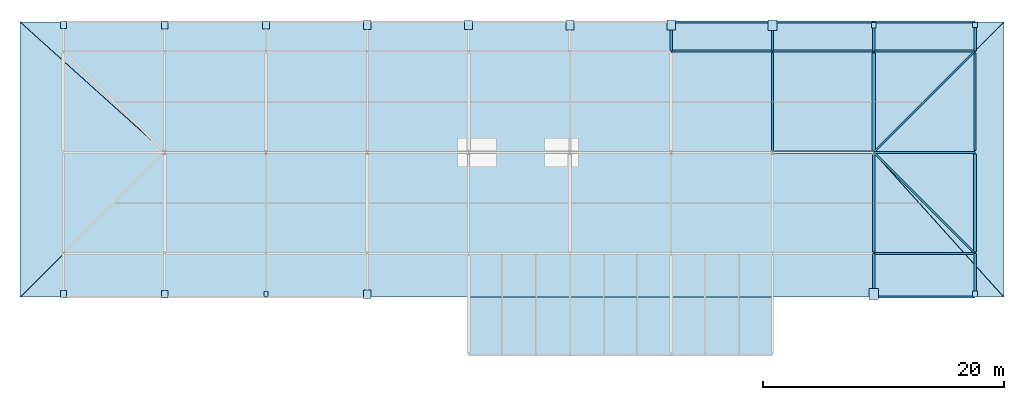
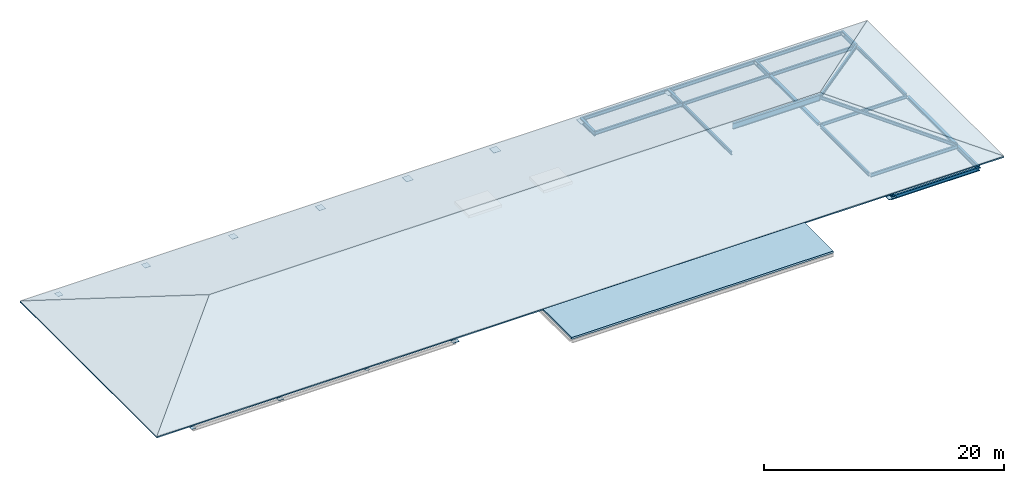
# One storey, part 4 of 5: 21 beams, 16 plates, 5 slabs, 2 members, 1 element without a shape of its own.
"""IFC4 building model written with IfcOpenShell, lengths in metres."""

from ifc_helpers import new_model, si_unit, direction, frame, origin, origin_2d, place, context, subcontext, project, spatial, polyline, rectangle, i_section, outline, extrude, material, layer, layer_set, material_profile, profile_set, type_object, element, aggregate, save


model = new_model("IFC4")

# Units and contexts
model_context = context("Model", 3, precision=1e-05, world=origin(), true_north=direction((0.0, 1.0)))
body_context = subcontext(model_context, "Body", "Model", "MODEL_VIEW")
ifc_project = project(units=[si_unit("LENGTHUNIT", "METRE"), si_unit("AREAUNIT", "SQUARE_METRE"), si_unit("VOLUMEUNIT", "CUBIC_METRE"), si_unit("PLANEANGLEUNIT", "RADIAN"), si_unit("MASSUNIT", "GRAM", prefix="KILO")], contexts=[model_context])

# Site, building, storey
site_placement = place(None, origin())
site = spatial("IfcSite", under=ifc_project, at=site_placement, CompositionType="ELEMENT")
building_placement = place(site_placement, origin())
building = spatial("IfcBuilding", under=site, at=building_placement, Name="Mersafa Astral City Hall", CompositionType="ELEMENT")
storey_placement = place(building_placement, frame((0.0, 0.0, 34.35009765625)))
storey = spatial("IfcBuildingStorey", under=building, at=storey_placement, Name="RF", CompositionType="ELEMENT", Elevation=34.35009765625)

# Beams
ifc_material_1 = material(Name="Steel S355", Category="steel")
ifc_material_profile_1 = material_profile(ifc_material_1, i_section(OverallWidth=0.199951171875, OverallDepth=0.5, WebThickness=0.01025390625, FlangeThickness=0.01611328125, FilletRadius=0.02099609375, at=origin_2d()), Name="IPE 500")
ifc_profile_set_1 = profile_set([ifc_material_profile_1], Name="Steel S355")
beam_type_1 = type_object("IfcBeamType", Name="STR-BM-IPE500", PredefinedType="BEAM", material=ifc_profile_set_1)
for number, where, z_axis, x_axis, name in (
    (1, (159.60009765625, 126.0, -0.41015625), (0.0, 1.0, 0.0), (-1.0, 0.0, 0.0), "RF Cantilevered eave beam ROOF-T6-V6 N-19"),
    (2, (168.0, 126.0, -0.41015625), (0.0, 1.0, 0.0), (-1.0, 0.0, 0.0), "RF Cantilevered eave beam ROOF-T6-V6 N-20"),
):
    element("IfcBeam", number, at=place(storey_placement, frame(where, z_axis=z_axis, x_axis=x_axis)), inside=storey, type_object=beam_type_1, Name=name, PredefinedType="BEAM", context=body_context, shape_type="SweptSolid", body=[
        extrude(i_section(OverallWidth=0.199951171875, OverallDepth=0.5, WebThickness=0.01025390625, FlangeThickness=0.01611328125, FilletRadius=0.02099609375, at=origin_2d()), origin(), (0.0, 0.0, 1.0), 2.39990234375),
    ])
beam_1_placement = place(storey_placement, frame((176.39990234375, 109.199951171875, -0.41015625), z_axis=(0.0, -1.0, 0.0), x_axis=(1.0, 0.0, 0.0)))
element("IfcBeam", 3, at=beam_1_placement, inside=storey, type_object=beam_type_1, Name="RF Cantilevered eave beam ROOF-T6-V6 S-21", PredefinedType="BEAM", context=body_context, shape_type="SweptSolid", body=[
    extrude(i_section(OverallWidth=0.199951171875, OverallDepth=0.5, WebThickness=0.01025390625, FlangeThickness=0.01611328125, FilletRadius=0.02099609375, at=origin_2d()), origin(), (0.0, 0.0, 1.0), 3.599853515625),
])
beam_2_placement = place(storey_placement, frame((176.39990234375, 126.0, -0.41015625), z_axis=(0.0, 1.0, 0.0), x_axis=(-1.0, 0.0, 0.0)))
element("IfcBeam", 4, at=beam_2_placement, inside=storey, type_object=beam_type_1, Name="RF Cantilevered eave beam ROOF-T6-V6 N-21", PredefinedType="BEAM", context=body_context, shape_type="SweptSolid", body=[
    extrude(i_section(OverallWidth=0.199951171875, OverallDepth=0.5, WebThickness=0.01025390625, FlangeThickness=0.01611328125, FilletRadius=0.02099609375, at=origin_2d()), origin(), (0.0, 0.0, 1.0), 2.39990234375),
])
beam_3_placement = place(storey_placement, frame((184.800048828125, 109.199951171875, -0.41015625), z_axis=(0.0, -1.0, 0.0), x_axis=(1.0, 0.0, 0.0)))
element("IfcBeam", 5, at=beam_3_placement, inside=storey, type_object=beam_type_1, Name="RF Cantilevered eave beam ROOF-T6-V6 S-22", PredefinedType="BEAM", context=body_context, shape_type="SweptSolid", body=[
    extrude(i_section(OverallWidth=0.199951171875, OverallDepth=0.5, WebThickness=0.01025390625, FlangeThickness=0.01611328125, FilletRadius=0.02099609375, at=origin_2d()), origin(), (0.0, 0.0, 1.0), 3.599853515625),
])
beam_4_placement = place(storey_placement, frame((184.800048828125, 126.0, -0.41015625), z_axis=(0.0, 1.0, 0.0), x_axis=(-1.0, 0.0, 0.0)))
element("IfcBeam", 6, at=beam_4_placement, inside=storey, type_object=beam_type_1, Name="RF Cantilevered eave beam ROOF-T6-V6 N-22", PredefinedType="BEAM", context=body_context, shape_type="SweptSolid", body=[
    extrude(i_section(OverallWidth=0.199951171875, OverallDepth=0.5, WebThickness=0.01025390625, FlangeThickness=0.01611328125, FilletRadius=0.02099609375, at=origin_2d()), origin(), (0.0, 0.0, 1.0), 2.39990234375),
])
ifc_material_profile_2 = material_profile(ifc_material_1, i_section(OverallWidth=0.219970703125, OverallDepth=0.60009765625, WebThickness=0.011962890625, FlangeThickness=0.01904296875, FilletRadius=0.02392578125, at=origin_2d()), Name="IPE 600")
ifc_profile_set_2 = profile_set([ifc_material_profile_2], Name="Steel S355")
beam_type_2 = type_object("IfcBeamType", Name="STR-BM-IPE600", PredefinedType="BEAM", material=ifc_profile_set_2)
beam_5_placement = place(storey_placement, frame((168.0, 117.60009765625, 2.521728515625), z_axis=(1.0, 0.0, 0.0), x_axis=(0.0, 1.0, 0.0)))
element("IfcBeam", 7, at=beam_5_placement, inside=storey, type_object=beam_type_2, Name="RF Hipped roof ridge beam ROOF-T6-V6-7", PredefinedType="BEAM", context=body_context, shape_type="SweptSolid", body=[
    extrude(i_section(OverallWidth=0.219970703125, OverallDepth=0.60009765625, WebThickness=0.011962890625, FlangeThickness=0.01904296875, FilletRadius=0.02392578125, at=origin_2d()), origin(), (0.0, 0.0, 1.0), 8.39990234375),
])
ifc_material_profile_3 = material_profile(ifc_material_1, i_section(OverallWidth=0.280029296875, OverallDepth=0.27001953125, WebThickness=0.008056640625, FlangeThickness=0.012939453125, FilletRadius=0.02392578125, at=origin_2d()), Name="HEA 280")
ifc_profile_set_3 = profile_set([ifc_material_profile_3], Name="Steel S355")
beam_type_3 = type_object("IfcBeamType", Name="STR-BM-SPANDREL-HEA280", PredefinedType="SPANDREL", material=ifc_profile_set_3)
beam_6_placement = place(storey_placement, frame((176.39990234375, 117.7451171875, -0.295166015625), z_axis=(0.0, 1.0, 0.0), x_axis=(-1.0, 0.0, 0.0)))
element("IfcBeam", 8, at=beam_6_placement, inside=storey, type_object=beam_type_3, Name="RF Primary girder Y 21-14", PredefinedType="SPANDREL", context=body_context, shape_type="SweptSolid", body=[
    extrude(i_section(OverallWidth=0.280029296875, OverallDepth=0.27001953125, WebThickness=0.008056640625, FlangeThickness=0.012939453125, FilletRadius=0.02392578125, at=origin_2d()), origin(), (0.0, 0.0, 1.0), 8.10986328125),
])
beam_7_placement = place(storey_placement, frame((184.800048828125, 109.344970703125, -0.295166015625), z_axis=(0.0, 1.0, 0.0), x_axis=(-1.0, 0.0, 0.0)))
element("IfcBeam", 9, at=beam_7_placement, inside=storey, type_object=beam_type_3, Name="RF Primary girder Y 22-13", PredefinedType="SPANDREL", context=body_context, shape_type="SweptSolid", body=[
    extrude(i_section(OverallWidth=0.280029296875, OverallDepth=0.27001953125, WebThickness=0.008056640625, FlangeThickness=0.012939453125, FilletRadius=0.02392578125, at=origin_2d()), origin(), (0.0, 0.0, 1.0), 8.110107421875),
])
ifc_material_profile_4 = material_profile(ifc_material_1, i_section(OverallWidth=0.159912109375, OverallDepth=0.330078125, WebThickness=0.007568359375, FlangeThickness=0.011474609375, FilletRadius=0.01806640625, at=origin_2d()), Name="IPE 330")
ifc_profile_set_4 = profile_set([ifc_material_profile_4], Name="Steel S355")
beam_type_4 = type_object("IfcBeamType", Name="STR-BM-SPANDREL-IPE330", PredefinedType="SPANDREL", material=ifc_profile_set_4)
for number, where, z_axis, x_axis, name in (
    (10, (176.403076171875, 117.60009765625, -0.3251953125), (1.0, 0.0, 0.0), (0.0, 1.0, 0.0), "RF Primary girder X 21-14"),
    (11, (168.0029296875, 126.0, -0.3251953125), (1.0, 0.0, 0.0), (0.0, 1.0, 0.0), "RF Primary girder X 20-15"),
):
    element("IfcBeam", number, at=place(storey_placement, frame(where, z_axis=z_axis, x_axis=x_axis)), inside=storey, type_object=beam_type_4, Name=name, PredefinedType="SPANDREL", context=body_context, shape_type="SweptSolid", body=[
        extrude(i_section(OverallWidth=0.159912109375, OverallDepth=0.330078125, WebThickness=0.007568359375, FlangeThickness=0.011474609375, FilletRadius=0.01806640625, at=origin_2d()), origin(), (0.0, 0.0, 1.0), 8.39404296875),
    ])
ifc_material_profile_5 = material_profile(ifc_material_1, i_section(OverallWidth=0.169921875, OverallDepth=0.360107421875, WebThickness=0.008056640625, FlangeThickness=0.0126953125, FilletRadius=0.01806640625, at=origin_2d()), Name="IPE 360")
ifc_profile_set_5 = profile_set([ifc_material_profile_5], Name="Steel S355")
beam_type_5 = type_object("IfcBeamType", Name="STR-BM-SPANDREL-IPE360", PredefinedType="SPANDREL", material=ifc_profile_set_5)
for number, where, z_axis, x_axis, name in (
    (12, (176.403076171875, 109.199951171875, -0.340087890625), (1.0, 0.0, 0.0), (0.0, 1.0, 0.0), "RF Primary girder X 21-13"),
    (13, (159.60302734375, 126.0, -0.340087890625), (1.0, 0.0, 0.0), (0.0, 1.0, 0.0), "RF Primary girder X 19-15"),
    (14, (176.403076171875, 126.0, -0.340087890625), (1.0, 0.0, 0.0), (0.0, 1.0, 0.0), "RF Primary girder X 21-15"),
):
    element("IfcBeam", number, at=place(storey_placement, frame(where, z_axis=z_axis, x_axis=x_axis)), inside=storey, type_object=beam_type_5, Name=name, PredefinedType="SPANDREL", context=body_context, shape_type="SweptSolid", body=[
        extrude(i_section(OverallWidth=0.169921875, OverallDepth=0.360107421875, WebThickness=0.008056640625, FlangeThickness=0.0126953125, FilletRadius=0.01806640625, at=origin_2d()), origin(), (0.0, 0.0, 1.0), 8.39404296875),
    ])
beam_8_placement = place(storey_placement, frame((168.0, 117.7451171875, -0.340087890625), z_axis=(0.0, 1.0, 0.0), x_axis=(-1.0, 0.0, 0.0)))
element("IfcBeam", 15, at=beam_8_placement, inside=storey, type_object=beam_type_5, Name="RF Primary girder Y 20-14", PredefinedType="SPANDREL", context=body_context, shape_type="SweptSolid", body=[
    extrude(i_section(OverallWidth=0.169921875, OverallDepth=0.360107421875, WebThickness=0.008056640625, FlangeThickness=0.0126953125, FilletRadius=0.01806640625, at=origin_2d()), origin(), (0.0, 0.0, 1.0), 8.10986328125),
])
beam_9_placement = place(storey_placement, frame((176.39990234375, 109.344970703125, -0.340087890625), z_axis=(0.0, 1.0, 0.0), x_axis=(-1.0, 0.0, 0.0)))
element("IfcBeam", 16, at=beam_9_placement, inside=storey, type_object=beam_type_5, Name="RF Primary girder Y 21-13", PredefinedType="SPANDREL", context=body_context, shape_type="SweptSolid", body=[
    extrude(i_section(OverallWidth=0.169921875, OverallDepth=0.360107421875, WebThickness=0.008056640625, FlangeThickness=0.0126953125, FilletRadius=0.01806640625, at=origin_2d()), origin(), (0.0, 0.0, 1.0), 8.110107421875),
])
beam_10_placement = place(storey_placement, frame((184.800048828125, 117.7451171875, -0.340087890625), z_axis=(0.0, 1.0, 0.0), x_axis=(-1.0, 0.0, 0.0)))
element("IfcBeam", 17, at=beam_10_placement, inside=storey, type_object=beam_type_5, Name="RF Primary girder Y 22-14", PredefinedType="SPANDREL", context=body_context, shape_type="SweptSolid", body=[
    extrude(i_section(OverallWidth=0.169921875, OverallDepth=0.360107421875, WebThickness=0.008056640625, FlangeThickness=0.0126953125, FilletRadius=0.01806640625, at=origin_2d()), origin(), (0.0, 0.0, 1.0), 8.10986328125),
])
beam_11_placement = place(storey_placement, frame((176.39990234375, 105.60009765625, -0.41015625), z_axis=(1.0, 0.0, 0.0), x_axis=(0.0, 1.0, 0.0)))
element("IfcBeam", 18, at=beam_11_placement, inside=storey, type_object=beam_type_5, Name="RF Hipped roof eave fascia beam ROOF-T6-V6 S-5", PredefinedType="SPANDREL", context=body_context, shape_type="SweptSolid", body=[
    extrude(i_section(OverallWidth=0.169921875, OverallDepth=0.360107421875, WebThickness=0.008056640625, FlangeThickness=0.0126953125, FilletRadius=0.01806640625, at=origin_2d()), origin(), (0.0, 0.0, 1.0), 8.400146484375),
])
for number, where, z_axis, x_axis, name in (
    (19, (159.60009765625, 128.39990234375, -0.41015625), (1.0, 0.0, 0.0), (0.0, 1.0, 0.0), "RF Hipped roof eave fascia beam ROOF-T6-V6 N-7"),
    (20, (168.0, 128.39990234375, -0.41015625), (1.0, 0.0, 0.0), (0.0, 1.0, 0.0), "RF Hipped roof eave fascia beam ROOF-T6-V6 N-8"),
):
    element("IfcBeam", number, at=place(storey_placement, frame(where, z_axis=z_axis, x_axis=x_axis)), inside=storey, type_object=beam_type_5, Name=name, PredefinedType="SPANDREL", context=body_context, shape_type="SweptSolid", body=[
        extrude(i_section(OverallWidth=0.169921875, OverallDepth=0.360107421875, WebThickness=0.008056640625, FlangeThickness=0.0126953125, FilletRadius=0.01806640625, at=origin_2d()), origin(), (0.0, 0.0, 1.0), 8.39990234375),
    ])
beam_12_placement = place(storey_placement, frame((176.39990234375, 128.39990234375, -0.41015625), z_axis=(1.0, 0.0, 0.0), x_axis=(0.0, 1.0, 0.0)))
element("IfcBeam", 21, at=beam_12_placement, inside=storey, type_object=beam_type_5, Name="RF Hipped roof eave fascia beam ROOF-T6-V6 N-9", PredefinedType="SPANDREL", context=body_context, shape_type="SweptSolid", body=[
    extrude(i_section(OverallWidth=0.169921875, OverallDepth=0.360107421875, WebThickness=0.008056640625, FlangeThickness=0.0126953125, FilletRadius=0.01806640625, at=origin_2d()), origin(), (0.0, 0.0, 1.0), 8.400146484375),
])

# Members
ifc_material_profile_6 = material_profile(ifc_material_1, i_section(OverallWidth=0.159912109375, OverallDepth=0.330078125, WebThickness=0.007568359375, FlangeThickness=0.011474609375, FilletRadius=0.01806640625, at=origin_2d()), Name="IPE 330")
ifc_profile_set_6 = profile_set([ifc_material_profile_6], Name="Steel S355")
member_type = type_object("IfcMemberType", Name="STR-MBR-RAFTER-IPE330", PredefinedType="RAFTER", material=ifc_profile_set_6)
member_1_placement = place(storey_placement, frame((184.800048828125, 109.199951171875, -0.25), z_axis=(-0.688612011529, 0.688612011529, 0.227215745834), x_axis=(-0.707106781187, -0.707106781187, 0.0)))
element("IfcMember", 22, at=member_1_placement, inside=storey, type_object=member_type, Name="RF Hipped roof corner hip rafter ROOF-T6-V6-2", PredefinedType="RAFTER", context=body_context, shape_type="SweptSolid", body=[
    extrude(i_section(OverallWidth=0.159912109375, OverallDepth=0.330078125, WebThickness=0.007568359375, FlangeThickness=0.011474609375, FilletRadius=0.01806640625, at=origin_2d()), origin(), (0.0, 0.0, 1.0), 12.19873046875),
])
member_2_placement = place(storey_placement, frame((184.800048828125, 126.0, -0.25), z_axis=(-0.688621501823, -0.688601487829, 0.227218877269), x_axis=(0.707096505339, -0.707117056885, 0.0)))
element("IfcMember", 23, at=member_2_placement, inside=storey, type_object=member_type, Name="RF Hipped roof corner hip rafter ROOF-T6-V6-3", PredefinedType="RAFTER", context=body_context, shape_type="SweptSolid", body=[
    extrude(i_section(OverallWidth=0.159912109375, OverallDepth=0.330078125, WebThickness=0.007568359375, FlangeThickness=0.011474609375, FilletRadius=0.01806640625, at=origin_2d()), origin(), (0.0, 0.0, 1.0), 12.198486328125),
])

# Plates
ifc_layer_1 = layer(ifc_material_1, 0.013916015625, Name="Steel S355")
ifc_layer_set_1 = layer_set([ifc_layer_1], Name="Steel S355 — STR-PLT-NP-1")
plate_type_1 = type_object("IfcPlateType", Name="STR-PLT-NP-1", PredefinedType="SHEET", material=ifc_layer_set_1)
plate_1_placement = place(storey_placement, frame((126.0, 105.85009765625, -0.4169921875), z_axis=(0.0, 0.0, 1.0), x_axis=(1.0, 0.0, 0.0)))
element("IfcPlate", 24, at=plate_1_placement, inside=storey, type_object=plate_type_1, Name="RF Structural steel eave strut node plate NP-1", PredefinedType="SHEET", context=body_context, shape_type="SweptSolid", body=[
    extrude(rectangle(XDim=0.360107421875, YDim=0.39990234375, at=origin_2d()), origin(), (0.0, 0.0, 1.0), 0.013916015625),
])
ifc_layer_2 = layer(ifc_material_1, 0.02294921875, Name="Steel S355")
ifc_layer_set_2 = layer_set([ifc_layer_2], Name="Steel S355 — STR-PLT-NP-10")
plate_type_2 = type_object("IfcPlateType", Name="STR-PLT-NP-10", PredefinedType="SHEET", material=ifc_layer_set_2)
plate_2_placement = place(storey_placement, frame((126.0, 128.14990234375, -0.421630859375), z_axis=(0.0, 0.0, 1.0), x_axis=(1.0, 0.0, 0.0)))
element("IfcPlate", 25, at=plate_2_placement, inside=storey, type_object=plate_type_2, Name="RF Structural steel eave strut node plate NP-10", PredefinedType="SHEET", context=body_context, shape_type="SweptSolid", body=[
    extrude(rectangle(XDim=0.5849609375, YDim=0.669921875, at=origin_2d()), origin(), (0.0, 0.0, 1.0), 0.02294921875),
])
ifc_layer_3 = layer(ifc_material_1, 0.02392578125, Name="Steel S355")
ifc_layer_set_3 = layer_set([ifc_layer_3], Name="Steel S355 — STR-PLT-NP-11")
plate_type_3 = type_object("IfcPlateType", Name="STR-PLT-NP-11", PredefinedType="SHEET", material=ifc_layer_set_3)
plate_3_placement = place(storey_placement, frame((134.39990234375, 105.85009765625, -0.422119140625), z_axis=(0.0, 0.0, 1.0), x_axis=(1.0, 0.0, 0.0)))
element("IfcPlate", 26, at=plate_3_placement, inside=storey, type_object=plate_type_3, Name="RF Structural steel eave strut node plate NP-11", PredefinedType="SHEET", context=body_context, shape_type="SweptSolid", body=[
    extrude(rectangle(XDim=0.610107421875, YDim=0.699951171875, at=origin_2d()), origin(), (0.0, 0.0, 1.0), 0.02392578125),
])
ifc_layer_4 = layer(ifc_material_1, 0.02490234375, Name="Steel S355")
ifc_layer_set_4 = layer_set([ifc_layer_4], Name="Steel S355 — STR-PLT-NP-12")
plate_type_4 = type_object("IfcPlateType", Name="STR-PLT-NP-12", PredefinedType="SHEET", material=ifc_layer_set_4)
plate_4_placement = place(storey_placement, frame((134.39990234375, 128.14990234375, -0.422607421875), z_axis=(0.0, 0.0, 1.0), x_axis=(1.0, 0.0, 0.0)))
element("IfcPlate", 27, at=plate_4_placement, inside=storey, type_object=plate_type_4, Name="RF Structural steel eave strut node plate NP-12", PredefinedType="SHEET", context=body_context, shape_type="SweptSolid", body=[
    extrude(rectangle(XDim=0.635009765625, YDim=0.72998046875, at=origin_2d()), origin(), (0.0, 0.0, 1.0), 0.02490234375),
])
ifc_layer_5 = layer(ifc_material_1, 0.02587890625, Name="Steel S355")
ifc_layer_set_5 = layer_set([ifc_layer_5], Name="Steel S355 — STR-PLT-NP-13")
plate_type_5 = type_object("IfcPlateType", Name="STR-PLT-NP-13", PredefinedType="SHEET", material=ifc_layer_set_5)
plate_5_placement = place(storey_placement, frame((142.800048828125, 128.14990234375, -0.423095703125), z_axis=(0.0, 0.0, 1.0), x_axis=(1.0, 0.0, 0.0)))
element("IfcPlate", 28, at=plate_5_placement, inside=storey, type_object=plate_type_5, Name="RF Structural steel eave strut node plate NP-13", PredefinedType="SHEET", context=body_context, shape_type="SweptSolid", body=[
    extrude(rectangle(XDim=0.659912109375, YDim=0.760009765625, at=origin_2d()), origin(), (0.0, 0.0, 1.0), 0.02587890625),
])
ifc_layer_6 = layer(ifc_material_1, 0.027099609375, Name="Steel S355")
ifc_layer_set_6 = layer_set([ifc_layer_6], Name="Steel S355 — STR-PLT-NP-14")
plate_type_6 = type_object("IfcPlateType", Name="STR-PLT-NP-14", PredefinedType="SHEET", material=ifc_layer_set_6)
plate_6_placement = place(storey_placement, frame((151.199951171875, 128.14990234375, -0.423828125), z_axis=(0.0, 0.0, 1.0), x_axis=(1.0, 0.0, 0.0)))
element("IfcPlate", 29, at=plate_6_placement, inside=storey, type_object=plate_type_6, Name="RF Structural steel eave strut node plate NP-14", PredefinedType="SHEET", context=body_context, shape_type="SweptSolid", body=[
    extrude(rectangle(XDim=0.68505859375, YDim=0.7900390625, at=origin_2d()), origin(), (0.0, 0.0, 1.0), 0.027099609375),
])
ifc_layer_7 = layer(ifc_material_1, 0.028076171875, Name="Steel S355")
ifc_layer_set_7 = layer_set([ifc_layer_7], Name="Steel S355 — STR-PLT-NP-15")
plate_type_7 = type_object("IfcPlateType", Name="STR-PLT-NP-15", PredefinedType="SHEET", material=ifc_layer_set_7)
plate_7_placement = place(storey_placement, frame((159.60009765625, 128.14990234375, -0.42431640625), z_axis=(0.0, 0.0, 1.0), x_axis=(1.0, 0.0, 0.0)))
element("IfcPlate", 30, at=plate_7_placement, inside=storey, type_object=plate_type_7, Name="RF Structural steel eave strut node plate NP-15", PredefinedType="SHEET", context=body_context, shape_type="SweptSolid", body=[
    extrude(rectangle(XDim=0.7099609375, YDim=0.820068359375, at=origin_2d()), origin(), (0.0, 0.0, 1.0), 0.028076171875),
])
ifc_layer_8 = layer(ifc_material_1, 0.029052734375, Name="Steel S355")
ifc_layer_set_8 = layer_set([ifc_layer_8], Name="Steel S355 — STR-PLT-NP-16")
plate_type_8 = type_object("IfcPlateType", Name="STR-PLT-NP-16", PredefinedType="SHEET", material=ifc_layer_set_8)
plate_8_placement = place(storey_placement, frame((168.0, 128.14990234375, -0.4248046875), z_axis=(0.0, 0.0, 1.0), x_axis=(1.0, 0.0, 0.0)))
element("IfcPlate", 31, at=plate_8_placement, inside=storey, type_object=plate_type_8, Name="RF Structural steel eave strut node plate NP-16", PredefinedType="SHEET", context=body_context, shape_type="SweptSolid", body=[
    extrude(rectangle(XDim=0.735107421875, YDim=0.85009765625, at=origin_2d()), origin(), (0.0, 0.0, 1.0), 0.029052734375),
])
ifc_layer_9 = layer(ifc_material_1, 0.030029296875, Name="Steel S355")
ifc_layer_set_9 = layer_set([ifc_layer_9], Name="Steel S355 — STR-PLT-NP-17")
plate_type_9 = type_object("IfcPlateType", Name="STR-PLT-NP-17", PredefinedType="SHEET", material=ifc_layer_set_9)
plate_9_placement = place(storey_placement, frame((176.39990234375, 105.85009765625, -0.42529296875), z_axis=(0.0, 0.0, 1.0), x_axis=(1.0, 0.0, 0.0)))
element("IfcPlate", 32, at=plate_9_placement, inside=storey, type_object=plate_type_9, Name="RF Structural steel eave strut node plate NP-17", PredefinedType="SHEET", context=body_context, shape_type="SweptSolid", body=[
    extrude(rectangle(XDim=0.760009765625, YDim=0.8798828125, at=origin_2d()), origin(), (0.0, 0.0, 1.0), 0.030029296875),
])
ifc_layer_10 = layer(ifc_material_1, 0.031005859375, Name="Steel S355")
ifc_layer_set_10 = layer_set([ifc_layer_10], Name="Steel S355 — STR-PLT-NP-18")
plate_type_10 = type_object("IfcPlateType", Name="STR-PLT-NP-18", PredefinedType="SHEET", material=ifc_layer_set_10)
plate_10_placement = place(storey_placement, frame((176.39990234375, 128.14990234375, -0.42578125), z_axis=(0.0, 0.0, 1.0), x_axis=(1.0, 0.0, 0.0)))
element("IfcPlate", 33, at=plate_10_placement, inside=storey, type_object=plate_type_10, Name="RF Structural steel eave strut node plate NP-18", PredefinedType="SHEET", context=body_context, shape_type="SweptSolid", body=[
    extrude(rectangle(XDim=0.360107421875, YDim=0.449951171875, at=origin_2d()), origin(), (0.0, 0.0, 1.0), 0.031005859375),
])
ifc_layer_11 = layer(ifc_material_1, 0.031982421875, Name="Steel S355")
ifc_layer_set_11 = layer_set([ifc_layer_11], Name="Steel S355 — STR-PLT-NP-19")
plate_type_11 = type_object("IfcPlateType", Name="STR-PLT-NP-19", PredefinedType="SHEET", material=ifc_layer_set_11)
plate_11_placement = place(storey_placement, frame((184.800048828125, 105.85009765625, -0.42626953125), z_axis=(0.0, 0.0, 1.0), x_axis=(1.0, 0.0, 0.0)))
element("IfcPlate", 34, at=plate_11_placement, inside=storey, type_object=plate_type_11, Name="RF Structural steel eave strut node plate NP-19", PredefinedType="SHEET", context=body_context, shape_type="SweptSolid", body=[
    extrude(rectangle(XDim=0.385009765625, YDim=0.47998046875, at=origin_2d()), origin(), (0.0, 0.0, 1.0), 0.031982421875),
])
ifc_layer_12 = layer(ifc_material_1, 0.014892578125, Name="Steel S355")
ifc_layer_set_12 = layer_set([ifc_layer_12], Name="Steel S355 — STR-PLT-NP-2")
plate_type_12 = type_object("IfcPlateType", Name="STR-PLT-NP-2", PredefinedType="SHEET", material=ifc_layer_set_12)
plate_12_placement = place(storey_placement, frame((184.800048828125, 128.14990234375, -0.41748046875), z_axis=(0.0, 0.0, 1.0), x_axis=(1.0, 0.0, 0.0)))
element("IfcPlate", 35, at=plate_12_placement, inside=storey, type_object=plate_type_12, Name="RF Structural steel eave strut node plate NP-2", PredefinedType="SHEET", context=body_context, shape_type="SweptSolid", body=[
    extrude(rectangle(XDim=0.385009765625, YDim=0.429931640625, at=origin_2d()), origin(), (0.0, 0.0, 1.0), 0.014892578125),
])
ifc_layer_13 = layer(ifc_material_1, 0.01904296875, Name="Steel S355")
ifc_layer_set_13 = layer_set([ifc_layer_13], Name="Steel S355 — STR-PLT-NP-6")
plate_type_13 = type_object("IfcPlateType", Name="STR-PLT-NP-6", PredefinedType="SHEET", material=ifc_layer_set_13)
plate_13_placement = place(storey_placement, frame((109.199951171875, 105.85009765625, -0.419677734375), z_axis=(0.0, 0.0, 1.0), x_axis=(1.0, 0.0, 0.0)))
element("IfcPlate", 36, at=plate_13_placement, inside=storey, type_object=plate_type_13, Name="RF Structural steel eave strut node plate NP-6", PredefinedType="SHEET", context=body_context, shape_type="SweptSolid", body=[
    extrude(rectangle(XDim=0.485107421875, YDim=0.550048828125, at=origin_2d()), origin(), (0.0, 0.0, 1.0), 0.01904296875),
])
ifc_layer_14 = layer(ifc_material_1, 0.02001953125, Name="Steel S355")
ifc_layer_set_14 = layer_set([ifc_layer_14], Name="Steel S355 — STR-PLT-NP-7")
plate_type_14 = type_object("IfcPlateType", Name="STR-PLT-NP-7", PredefinedType="SHEET", material=ifc_layer_set_14)
plate_14_placement = place(storey_placement, frame((109.199951171875, 128.14990234375, -0.420166015625), z_axis=(0.0, 0.0, 1.0), x_axis=(1.0, 0.0, 0.0)))
element("IfcPlate", 37, at=plate_14_placement, inside=storey, type_object=plate_type_14, Name="RF Structural steel eave strut node plate NP-7", PredefinedType="SHEET", context=body_context, shape_type="SweptSolid", body=[
    extrude(rectangle(XDim=0.510009765625, YDim=0.580078125, at=origin_2d()), origin(), (0.0, 0.0, 1.0), 0.02001953125),
])
ifc_layer_15 = layer(ifc_material_1, 0.02099609375, Name="Steel S355")
ifc_layer_set_15 = layer_set([ifc_layer_15], Name="Steel S355 — STR-PLT-NP-8")
plate_type_15 = type_object("IfcPlateType", Name="STR-PLT-NP-8", PredefinedType="SHEET", material=ifc_layer_set_15)
plate_15_placement = place(storey_placement, frame((117.60009765625, 105.85009765625, -0.420654296875), z_axis=(0.0, 0.0, 1.0), x_axis=(1.0, 0.0, 0.0)))
element("IfcPlate", 38, at=plate_15_placement, inside=storey, type_object=plate_type_15, Name="RF Structural steel eave strut node plate NP-8", PredefinedType="SHEET", context=body_context, shape_type="SweptSolid", body=[
    extrude(rectangle(XDim=0.534912109375, YDim=0.610107421875, at=origin_2d()), origin(), (0.0, 0.0, 1.0), 0.02099609375),
])
ifc_layer_16 = layer(ifc_material_1, 0.02197265625, Name="Steel S355")
ifc_layer_set_16 = layer_set([ifc_layer_16], Name="Steel S355 — STR-PLT-NP-9")
plate_type_16 = type_object("IfcPlateType", Name="STR-PLT-NP-9", PredefinedType="SHEET", material=ifc_layer_set_16)
plate_16_placement = place(storey_placement, frame((117.60009765625, 128.14990234375, -0.421142578125), z_axis=(0.0, 0.0, 1.0), x_axis=(1.0, 0.0, 0.0)))
element("IfcPlate", 39, at=plate_16_placement, inside=storey, type_object=plate_type_16, Name="RF Structural steel eave strut node plate NP-9", PredefinedType="SHEET", context=body_context, shape_type="SweptSolid", body=[
    extrude(rectangle(XDim=0.56005859375, YDim=0.639892578125, at=origin_2d()), origin(), (0.0, 0.0, 1.0), 0.02197265625),
])

# Slab
ifc_material_2 = material(Name="Concrete C40/50", Category="concrete")
ifc_layer_17 = layer(ifc_material_2, 0.199951171875, Name="Concrete C40/50")
ifc_layer_set_17 = layer_set([ifc_layer_17], Name="Concrete C40/50 — STR-SLAB-ROOF-200")
slab_type_1 = type_object("IfcSlabType", Name="STR-SLAB-ROOF-200", PredefinedType="ROOF", material=ifc_layer_set_17)
slab_1_placement = place(storey_placement, frame((0.0, 0.0, -0.2001953125)))
element("IfcSlab", 40, at=slab_1_placement, inside=storey, type_object=slab_type_1, Name="RF Flat structural wing roof slab 1", PredefinedType="ROOF", context=body_context, shape_type="SweptSolid", body=[
    extrude(outline(polyline([(142.800048828125, 105.592041015625), (168.0, 105.592041015625), (168.0, 100.800048828125), (159.60009765625, 100.800048828125), (151.199951171875, 100.800048828125), (142.800048828125, 100.800048828125), (142.800048828125, 105.592041015625)])), origin(), (0.0, 0.0, 1.0), 0.2001953125),
])

# Roof, slabs
ifc_material_3 = material(Name="Egyptian ceramic terracotta roof tile", Category="masonry")
roof_type = type_object("IfcRoofType", Name="ARCH-ROOF-HIP", PredefinedType="HIP_ROOF", material=ifc_material_3)
roof_placement = place(storey_placement, origin())
roof = element("IfcRoof", 41, at=roof_placement, inside=storey, type_object=roof_type, Name="RF Warm terracotta hipped roof ROOF-T6-V6", PredefinedType="HIP_ROOF")
ifc_layer_18 = layer(ifc_material_2, 0.159912109375, Name="Concrete C40/50")
ifc_layer_set_18 = layer_set([ifc_layer_18], Name="Concrete C40/50 — STR-SLAB-ROOF-HIP-160")
slab_type_2 = type_object("IfcSlabType", Name="STR-SLAB-ROOF-HIP-160", PredefinedType="ROOF", material=ifc_layer_set_18)
slab_2_placement = place(storey_placement, frame((105.60009765625, 105.60009765625, 0.0), z_axis=(0.0, -0.241903867747, 0.970300220947), x_axis=(1.0, 0.0, 0.0)))
slab_2 = element("IfcSlab", 42, at=slab_2_placement, type_object=slab_type_2, Name="RF Sloped hipped roof slab ROOF-T6-V6 S", PredefinedType="ROOF", context=body_context, shape_type="SweptSolid", body=[
    extrude(outline(polyline([(0.0, 0.0), (81.599853515625, 0.0), (70.7998046875, 12.367306263510633), (12.0, 12.367306263510633), (0.0, 0.0)])), origin(), (0.0, 0.0, -1.0), 0.159912109375),
])
slab_3_placement = place(storey_placement, frame((187.199951171875, 128.39990234375, 0.0), z_axis=(0.0, 0.266960640308, 0.963707433055), x_axis=(-1.0, 0.0, 0.0)))
slab_3 = element("IfcSlab", 43, at=slab_3_placement, type_object=slab_type_2, Name="RF Sloped hipped roof slab ROOF-T6-V6 N", PredefinedType="ROOF", context=body_context, shape_type="SweptSolid", body=[
    extrude(outline(polyline([(0.0, 0.0), (81.599853515625, 0.0), (69.599853515625, 11.206517991937385), (10.800048828125, 11.206517991937385), (0.0, 0.0)])), origin(), (0.0, 0.0, -1.0), 0.159912109375),
])
slab_4_placement = place(storey_placement, frame((105.60009765625, 128.39990234375, 0.0), z_axis=(-0.241903867747, 0.0, 0.970300220947), x_axis=(0.0, -1.0, 0.0)))
slab_4 = element("IfcSlab", 44, at=slab_4_placement, type_object=slab_type_2, Name="RF Sloped hipped roof slab ROOF-T6-V6 W", PredefinedType="ROOF", context=body_context, shape_type="SweptSolid", body=[
    extrude(outline(polyline([(0.0, 0.0), (22.7998046875, 0.0), (10.7998046875, 12.367306263510633), (0.0, 0.0)])), origin(), (0.0, 0.0, -1.0), 0.159912109375),
])
slab_5_placement = place(storey_placement, frame((187.199951171875, 105.60009765625, 0.0), z_axis=(0.266955035599, 0.0, 0.963708985622), x_axis=(0.0, 1.0, 0.0)))
slab_5 = element("IfcSlab", 45, at=slab_5_placement, type_object=slab_type_2, Name="RF Sloped hipped roof slab ROOF-T6-V6 E", PredefinedType="ROOF", context=body_context, shape_type="SweptSolid", body=[
    extrude(outline(polyline([(0.0, 0.0), (22.7998046875, 0.0), (12.0, 11.206753272261933), (0.0, 0.0)])), origin(), (0.0, 0.0, -1.0), 0.159912109375),
])
aggregate(roof, [slab_2, slab_3, slab_4, slab_5])

save(model, "model.ifc")
